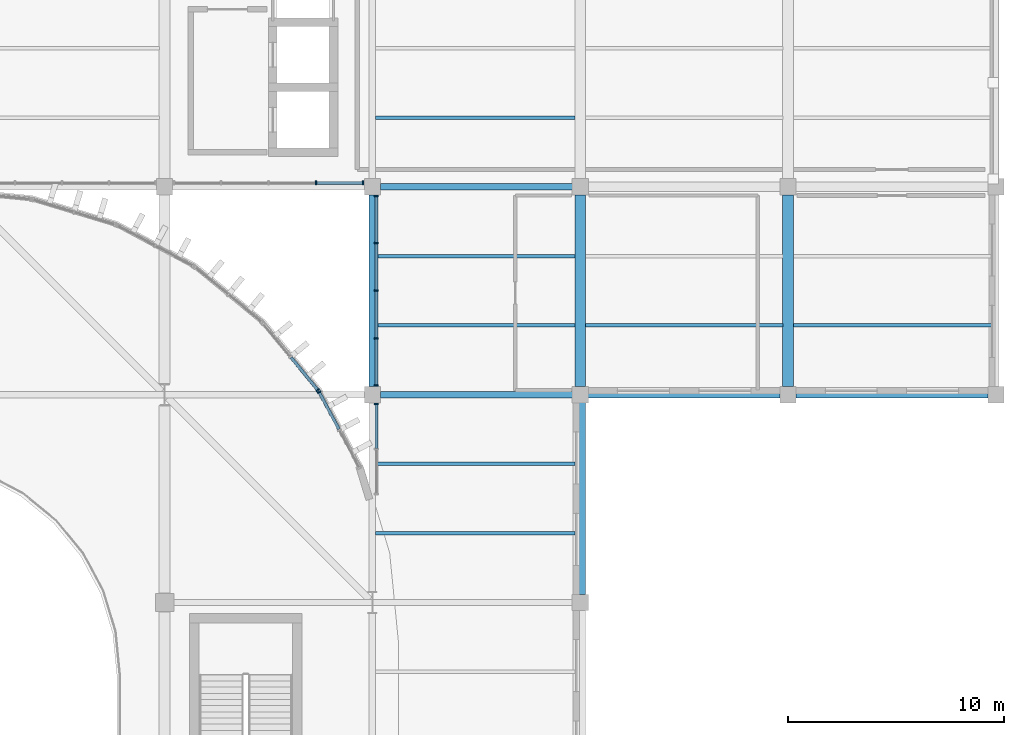
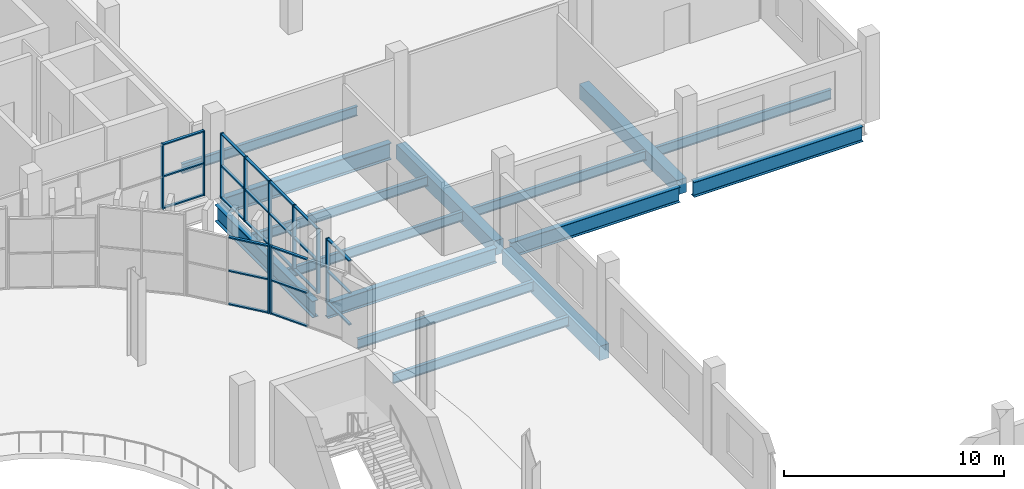
# One storey, part 46 of 99: 34 members, 15 beams, 5 elements without a shape of their own.
"""IFC4 building model written with IfcOpenShell, lengths in metres."""

from ifc_helpers import new_model, si_unit, direction, frame, origin, origin_2d, place, context, subcontext, project, spatial, rectangle, i_section, extrude, material, layer, layer_set, material_profile, profile_set, type_object, element, aggregate, save


model = new_model("IFC4")

# Units and contexts
model_context = context("Model", 3, precision=1e-05, world=origin(), true_north=direction((0.0, 1.0)))
body_context = subcontext(model_context, "Body", "Model", "MODEL_VIEW")
ifc_project = project(units=[si_unit("LENGTHUNIT", "METRE"), si_unit("AREAUNIT", "SQUARE_METRE"), si_unit("VOLUMEUNIT", "CUBIC_METRE"), si_unit("PLANEANGLEUNIT", "RADIAN"), si_unit("MASSUNIT", "GRAM", prefix="KILO")], contexts=[model_context])

# Site, building, storey
site_placement = place(None, origin())
site = spatial("IfcSite", under=ifc_project, at=site_placement, CompositionType="ELEMENT")
building_placement = place(site_placement, origin())
building = spatial("IfcBuilding", under=site, at=building_placement, Name="Caelomonte Colonnade Arena", CompositionType="ELEMENT")
storey_placement = place(building_placement, frame((0.0, 0.0, 4.800048828125)))
storey = spatial("IfcBuildingStorey", under=building, at=storey_placement, Name="L01", CompositionType="ELEMENT", Elevation=4.800048828125)

# Curtain wall, members
ifc_material_1 = material(Name="Bronze anodised aluminium and low-E glazing", Category="aluminium")
ifc_layer_1 = layer(ifc_material_1, 0.179931640625)
ifc_layer_set_1 = layer_set([ifc_layer_1], Name="Bronze anodised aluminium and low-E glazing")
curtain_wall_type_1 = type_object("IfcCurtainWallType", Name="ENV-CW-CW-L01-89-36", PredefinedType="USERDEFINED", material=ifc_layer_set_1)
curtain_wall_1_placement = place(storey_placement, origin())
curtain_wall_1 = element("IfcCurtainWall", 1, at=curtain_wall_1_placement, inside=storey, type_object=curtain_wall_type_1, Name="L01 unitized curtain wall CW-L01-1584-1154", ObjectType="UNITIZED CURTAIN WALL", PredefinedType="USERDEFINED")
ifc_material_2 = material(Name="Bronze anodised aluminium AA6063-T6", Category="aluminium")
ifc_material_profile_1 = material_profile(ifc_material_2, rectangle(XDim=0.070068359375, YDim=0.179931640625, at=origin_2d()), Name="CWM-70X180")
ifc_profile_set_1 = profile_set([ifc_material_profile_1], Name="Bronze anodised aluminium AA6063-T6")
member_type_1 = type_object("IfcMemberType", Name="ENV-CW-MULL1", PredefinedType="MULLION", material=ifc_profile_set_1)
member_1_placement = place(storey_placement, frame((160.6025390625, 115.3798828125, 0.0), z_axis=(0.0, 0.0, 1.0), x_axis=(1.0, 0.0, 0.0)))
member_1 = element("IfcMember", 2, at=member_1_placement, type_object=member_type_1, Name="CW-L01-89-36 mullion 4", PredefinedType="MULLION", context=body_context, shape_type="SweptSolid", body=[
    extrude(rectangle(XDim=0.070068359375, YDim=0.179931640625, at=origin_2d()), origin(), (0.0, 0.0, 1.0), 3.593017578125),
])
member_2_placement = place(storey_placement, frame((162.77001953125, 115.3798828125, 0.0), z_axis=(0.0, 0.0, 1.0), x_axis=(1.0, 0.0, 0.0)))
member_2 = element("IfcMember", 3, at=member_2_placement, type_object=member_type_1, Name="CW-L01-89-36 mullion 5", PredefinedType="MULLION", context=body_context, shape_type="SweptSolid", body=[
    extrude(rectangle(XDim=0.070068359375, YDim=0.179931640625, at=origin_2d()), origin(), (0.0, 0.0, 1.0), 3.593017578125),
])

curtain_wall_2_placement = place(storey_placement, origin())
curtain_wall_2 = element("IfcCurtainWall", 4, at=curtain_wall_2_placement, inside=storey, type_object=curtain_wall_type_1, Name="L01 unitized curtain wall CW-L01-1634-1104", ObjectType="UNITIZED CURTAIN WALL", PredefinedType="USERDEFINED")
member_3_placement = place(storey_placement, frame((163.3798828125, 114.77001953125, 0.0), z_axis=(0.0, 0.0, 1.0), x_axis=(0.0, -1.0, 0.0)))
member_3 = element("IfcMember", 5, at=member_3_placement, type_object=member_type_1, Name="CW-L01-89-36 mullion 1", PredefinedType="MULLION", context=body_context, shape_type="SweptSolid", body=[
    extrude(rectangle(XDim=0.070068359375, YDim=0.179931640625, at=origin_2d()), origin(), (0.0, 0.0, 1.0), 3.593017578125),
])
member_4_placement = place(storey_placement, frame((163.3798828125, 112.6025390625, 0.0), z_axis=(0.0, 0.0, 1.0), x_axis=(0.0, -1.0, 0.0)))
member_4 = element("IfcMember", 6, at=member_4_placement, type_object=member_type_1, Name="CW-L01-89-36 mullion 2", PredefinedType="MULLION", context=body_context, shape_type="SweptSolid", body=[
    extrude(rectangle(XDim=0.070068359375, YDim=0.179931640625, at=origin_2d()), origin(), (0.0, 0.0, 1.0), 3.593017578125),
])
member_5_placement = place(storey_placement, frame((163.3798828125, 110.39990234375, 0.0), z_axis=(0.0, 0.0, 1.0), x_axis=(0.0, -1.0, 0.0)))
member_5 = element("IfcMember", 7, at=member_5_placement, type_object=member_type_1, Name="CW-L01-89-36 mullion 3", PredefinedType="MULLION", context=body_context, shape_type="SweptSolid", body=[
    extrude(rectangle(XDim=0.070068359375, YDim=0.179931640625, at=origin_2d()), origin(), (0.0, 0.0, 1.0), 3.593017578125),
])
member_6_placement = place(storey_placement, frame((163.3798828125, 108.197509765625, 0.0), z_axis=(0.0, 0.0, 1.0), x_axis=(0.0, -1.0, 0.0)))
member_6 = element("IfcMember", 8, at=member_6_placement, type_object=member_type_1, Name="CW-L01-89-36 mullion 4", PredefinedType="MULLION", context=body_context, shape_type="SweptSolid", body=[
    extrude(rectangle(XDim=0.070068359375, YDim=0.179931640625, at=origin_2d()), origin(), (0.0, 0.0, 1.0), 3.593017578125),
])
member_7_placement = place(storey_placement, frame((163.3798828125, 106.030029296875, 0.0), z_axis=(0.0, 0.0, 1.0), x_axis=(0.0, -1.0, 0.0)))
member_7 = element("IfcMember", 9, at=member_7_placement, type_object=member_type_1, Name="CW-L01-89-36 mullion 5", PredefinedType="MULLION", context=body_context, shape_type="SweptSolid", body=[
    extrude(rectangle(XDim=0.070068359375, YDim=0.179931640625, at=origin_2d()), origin(), (0.0, 0.0, 1.0), 3.593017578125),
])

# Curtain wall, member
ifc_layer_2 = layer(ifc_material_1, 0.179931640625)
ifc_layer_set_2 = layer_set([ifc_layer_2], Name="Bronze anodised aluminium and low-E glazing")
curtain_wall_type_2 = type_object("IfcCurtainWallType", Name="ENV-CW-CW-L01-44-36", PredefinedType="USERDEFINED", material=ifc_layer_set_2)
curtain_wall_3_placement = place(storey_placement, origin())
curtain_wall_3 = element("IfcCurtainWall", 10, at=curtain_wall_3_placement, inside=storey, type_object=curtain_wall_type_2, Name="L01 unitized curtain wall CW-L01-1634-1030", ObjectType="UNITIZED CURTAIN WALL", PredefinedType="USERDEFINED")
member_8_placement = place(storey_placement, frame((163.3798828125, 105.169921875, 0.0), z_axis=(0.0, 0.0, 1.0), x_axis=(0.0, -1.0, 0.0)))
member_8 = element("IfcMember", 11, at=member_8_placement, type_object=member_type_1, Name="CW-L01-44-36 mullion 1", PredefinedType="MULLION", context=body_context, shape_type="SweptSolid", body=[
    extrude(rectangle(XDim=0.070068359375, YDim=0.179931640625, at=origin_2d()), origin(), (0.0, 0.0, 1.0), 3.593017578125),
])

ifc_layer_3 = layer(ifc_material_1, 0.179931640625)
ifc_layer_set_3 = layer_set([ifc_layer_3], Name="Bronze anodised aluminium and low-E glazing")
curtain_wall_type_3 = type_object("IfcCurtainWallType", Name="ENV-CW-CW-L01-44-38", PredefinedType="USERDEFINED", material=ifc_layer_set_3)
curtain_wall_4_placement = place(storey_placement, origin())
curtain_wall_4 = element("IfcCurtainWall", 12, at=curtain_wall_4_placement, inside=storey, type_object=curtain_wall_type_3, Name="L01 unitized curtain wall CW-L01-1617-1040", ObjectType="UNITIZED CURTAIN WALL", PredefinedType="USERDEFINED")
member_9_placement = place(storey_placement, frame((160.737548828125, 105.716064453125, 0.0), z_axis=(0.0, 0.0, 1.0), x_axis=(-0.471394212466, 0.881922613642, 0.0)))
member_9 = element("IfcMember", 13, at=member_9_placement, type_object=member_type_1, Name="CW-L01-44-38 mullion 3", PredefinedType="MULLION", context=body_context, shape_type="SweptSolid", body=[
    extrude(rectangle(XDim=0.070068359375, YDim=0.179931640625, at=origin_2d()), origin(), (0.0, 0.0, 1.0), 3.758056640625),
])

curtain_wall_5_placement = place(storey_placement, origin())
curtain_wall_5 = element("IfcCurtainWall", 14, at=curtain_wall_5_placement, inside=storey, type_object=curtain_wall_type_3, Name="L01 unitized curtain wall CW-L01-1594-1073", ObjectType="UNITIZED CURTAIN WALL", PredefinedType="USERDEFINED")
member_10_placement = place(storey_placement, frame((160.67431640625, 105.810791015625, 0.0), z_axis=(0.0, 0.0, 1.0), x_axis=(-0.634416071163, 0.772991751994, 0.0)))
member_10 = element("IfcMember", 15, at=member_10_placement, type_object=member_type_1, Name="CW-L01-44-38 mullion 1", PredefinedType="MULLION", context=body_context, shape_type="SweptSolid", body=[
    extrude(rectangle(XDim=0.070068359375, YDim=0.179931640625, at=origin_2d()), origin(), (0.0, 0.0, 1.0), 3.758056640625),
])

# Member
ifc_material_profile_2 = material_profile(ifc_material_2, rectangle(XDim=0.070068359375, YDim=0.139892578125, at=origin_2d()), Name="CWT-70X140")
ifc_profile_set_2 = profile_set([ifc_material_profile_2], Name="Bronze anodised aluminium AA6063-T6")
member_type_2 = type_object("IfcMemberType", Name="ENV-CW-TRAN1", PredefinedType="USERDEFINED", material=ifc_profile_set_2)
member_11_placement = place(storey_placement, frame((160.637451171875, 115.3798828125, 0.034912109375), z_axis=(1.0, 0.0, 0.0), x_axis=(0.0, 0.0, 1.0)))
member_11 = element("IfcMember", 16, at=member_11_placement, type_object=member_type_2, Name="CW-L01-89-36 transom 4.1", ObjectType="TRANSOM", PredefinedType="USERDEFINED", context=body_context, shape_type="SweptSolid", body=[
    extrude(rectangle(XDim=0.070068359375, YDim=0.139892578125, at=origin_2d()), origin(), (0.0, 0.0, 1.0), 2.09765625),
])

member_12_placement = place(storey_placement, frame((160.637451171875, 115.3798828125, 1.79638671875), z_axis=(1.0, 0.0, 0.0), x_axis=(0.0, 0.0, 1.0)))
member_12 = element("IfcMember", 17, at=member_12_placement, type_object=member_type_2, Name="CW-L01-89-36 transom 4.2", ObjectType="TRANSOM", PredefinedType="USERDEFINED", context=body_context, shape_type="SweptSolid", body=[
    extrude(rectangle(XDim=0.070068359375, YDim=0.139892578125, at=origin_2d()), origin(), (0.0, 0.0, 1.0), 2.09765625),
])

member_13_placement = place(storey_placement, frame((160.637451171875, 115.3798828125, 3.557861328125), z_axis=(1.0, 0.0, 0.0), x_axis=(0.0, 0.0, 1.0)))
member_13 = element("IfcMember", 18, at=member_13_placement, type_object=member_type_2, Name="CW-L01-89-36 transom 4.3", ObjectType="TRANSOM", PredefinedType="USERDEFINED", context=body_context, shape_type="SweptSolid", body=[
    extrude(rectangle(XDim=0.070068359375, YDim=0.139892578125, at=origin_2d()), origin(), (0.0, 0.0, 1.0), 2.09765625),
])

aggregate(curtain_wall_1, [member_1, member_2, member_11, member_12, member_13])

member_14_placement = place(storey_placement, frame((163.3798828125, 114.735107421875, 0.034912109375), z_axis=(0.0, -1.0, 0.0), x_axis=(0.0, 0.0, 1.0)))
member_14 = element("IfcMember", 19, at=member_14_placement, type_object=member_type_2, Name="CW-L01-89-36 transom 1.1", ObjectType="TRANSOM", PredefinedType="USERDEFINED", context=body_context, shape_type="SweptSolid", body=[
    extrude(rectangle(XDim=0.070068359375, YDim=0.139892578125, at=origin_2d()), origin(), (0.0, 0.0, 1.0), 2.09765625),
])

member_15_placement = place(storey_placement, frame((163.3798828125, 114.735107421875, 1.79638671875), z_axis=(0.0, -1.0, 0.0), x_axis=(0.0, 0.0, 1.0)))
member_15 = element("IfcMember", 20, at=member_15_placement, type_object=member_type_2, Name="CW-L01-89-36 transom 1.2", ObjectType="TRANSOM", PredefinedType="USERDEFINED", context=body_context, shape_type="SweptSolid", body=[
    extrude(rectangle(XDim=0.070068359375, YDim=0.139892578125, at=origin_2d()), origin(), (0.0, 0.0, 1.0), 2.09765625),
])

member_16_placement = place(storey_placement, frame((163.3798828125, 114.735107421875, 3.557861328125), z_axis=(0.0, -1.0, 0.0), x_axis=(0.0, 0.0, 1.0)))
member_16 = element("IfcMember", 21, at=member_16_placement, type_object=member_type_2, Name="CW-L01-89-36 transom 1.3", ObjectType="TRANSOM", PredefinedType="USERDEFINED", context=body_context, shape_type="SweptSolid", body=[
    extrude(rectangle(XDim=0.070068359375, YDim=0.139892578125, at=origin_2d()), origin(), (0.0, 0.0, 1.0), 2.09765625),
])

member_17_placement = place(storey_placement, frame((163.3798828125, 112.5673828125, 0.034912109375), z_axis=(0.0, -1.0, 0.0), x_axis=(0.0, 0.0, 1.0)))
member_17 = element("IfcMember", 22, at=member_17_placement, type_object=member_type_2, Name="CW-L01-89-36 transom 2.1", ObjectType="TRANSOM", PredefinedType="USERDEFINED", context=body_context, shape_type="SweptSolid", body=[
    extrude(rectangle(XDim=0.070068359375, YDim=0.139892578125, at=origin_2d()), origin(), (0.0, 0.0, 1.0), 2.13232421875),
])

member_18_placement = place(storey_placement, frame((163.3798828125, 112.5673828125, 1.79638671875), z_axis=(0.0, -1.0, 0.0), x_axis=(0.0, 0.0, 1.0)))
member_18 = element("IfcMember", 23, at=member_18_placement, type_object=member_type_2, Name="CW-L01-89-36 transom 2.2", ObjectType="TRANSOM", PredefinedType="USERDEFINED", context=body_context, shape_type="SweptSolid", body=[
    extrude(rectangle(XDim=0.070068359375, YDim=0.139892578125, at=origin_2d()), origin(), (0.0, 0.0, 1.0), 2.13232421875),
])

member_19_placement = place(storey_placement, frame((163.3798828125, 112.5673828125, 3.557861328125), z_axis=(0.0, -1.0, 0.0), x_axis=(0.0, 0.0, 1.0)))
member_19 = element("IfcMember", 24, at=member_19_placement, type_object=member_type_2, Name="CW-L01-89-36 transom 2.3", ObjectType="TRANSOM", PredefinedType="USERDEFINED", context=body_context, shape_type="SweptSolid", body=[
    extrude(rectangle(XDim=0.070068359375, YDim=0.139892578125, at=origin_2d()), origin(), (0.0, 0.0, 1.0), 2.13232421875),
])

member_20_placement = place(storey_placement, frame((163.3798828125, 110.364990234375, 0.034912109375), z_axis=(0.0, -1.0, 0.0), x_axis=(0.0, 0.0, 1.0)))
member_20 = element("IfcMember", 25, at=member_20_placement, type_object=member_type_2, Name="CW-L01-89-36 transom 3.1", ObjectType="TRANSOM", PredefinedType="USERDEFINED", context=body_context, shape_type="SweptSolid", body=[
    extrude(rectangle(XDim=0.070068359375, YDim=0.139892578125, at=origin_2d()), origin(), (0.0, 0.0, 1.0), 2.132568359375),
])

member_21_placement = place(storey_placement, frame((163.3798828125, 110.364990234375, 1.79638671875), z_axis=(0.0, -1.0, 0.0), x_axis=(0.0, 0.0, 1.0)))
member_21 = element("IfcMember", 26, at=member_21_placement, type_object=member_type_2, Name="CW-L01-89-36 transom 3.2", ObjectType="TRANSOM", PredefinedType="USERDEFINED", context=body_context, shape_type="SweptSolid", body=[
    extrude(rectangle(XDim=0.070068359375, YDim=0.139892578125, at=origin_2d()), origin(), (0.0, 0.0, 1.0), 2.132568359375),
])

member_22_placement = place(storey_placement, frame((163.3798828125, 110.364990234375, 3.557861328125), z_axis=(0.0, -1.0, 0.0), x_axis=(0.0, 0.0, 1.0)))
member_22 = element("IfcMember", 27, at=member_22_placement, type_object=member_type_2, Name="CW-L01-89-36 transom 3.3", ObjectType="TRANSOM", PredefinedType="USERDEFINED", context=body_context, shape_type="SweptSolid", body=[
    extrude(rectangle(XDim=0.070068359375, YDim=0.139892578125, at=origin_2d()), origin(), (0.0, 0.0, 1.0), 2.132568359375),
])

member_23_placement = place(storey_placement, frame((163.3798828125, 108.16259765625, 0.034912109375), z_axis=(0.0, -1.0, 0.0), x_axis=(0.0, 0.0, 1.0)))
member_23 = element("IfcMember", 28, at=member_23_placement, type_object=member_type_2, Name="CW-L01-89-36 transom 4.1", ObjectType="TRANSOM", PredefinedType="USERDEFINED", context=body_context, shape_type="SweptSolid", body=[
    extrude(rectangle(XDim=0.070068359375, YDim=0.139892578125, at=origin_2d()), origin(), (0.0, 0.0, 1.0), 2.09765625),
])

member_24_placement = place(storey_placement, frame((163.3798828125, 108.16259765625, 1.79638671875), z_axis=(0.0, -1.0, 0.0), x_axis=(0.0, 0.0, 1.0)))
member_24 = element("IfcMember", 29, at=member_24_placement, type_object=member_type_2, Name="CW-L01-89-36 transom 4.2", ObjectType="TRANSOM", PredefinedType="USERDEFINED", context=body_context, shape_type="SweptSolid", body=[
    extrude(rectangle(XDim=0.070068359375, YDim=0.139892578125, at=origin_2d()), origin(), (0.0, 0.0, 1.0), 2.09765625),
])

member_25_placement = place(storey_placement, frame((163.3798828125, 108.16259765625, 3.557861328125), z_axis=(0.0, -1.0, 0.0), x_axis=(0.0, 0.0, 1.0)))
member_25 = element("IfcMember", 30, at=member_25_placement, type_object=member_type_2, Name="CW-L01-89-36 transom 4.3", ObjectType="TRANSOM", PredefinedType="USERDEFINED", context=body_context, shape_type="SweptSolid", body=[
    extrude(rectangle(XDim=0.070068359375, YDim=0.139892578125, at=origin_2d()), origin(), (0.0, 0.0, 1.0), 2.09765625),
])

aggregate(curtain_wall_2, [member_3, member_4, member_5, member_6, member_7, member_14, member_15, member_16, member_17, member_18, member_19, member_20, member_21, member_22, member_23, member_24, member_25])

member_26_placement = place(storey_placement, frame((163.3798828125, 105.135009765625, 0.034912109375), z_axis=(0.0, -1.0, 0.0), x_axis=(0.0, 0.0, 1.0)))
member_26 = element("IfcMember", 31, at=member_26_placement, type_object=member_type_2, Name="CW-L01-44-36 transom 1.1", ObjectType="TRANSOM", PredefinedType="USERDEFINED", context=body_context, shape_type="SweptSolid", body=[
    extrude(rectangle(XDim=0.070068359375, YDim=0.139892578125, at=origin_2d()), origin(), (0.0, 0.0, 1.0), 2.015380859375),
])

member_27_placement = place(storey_placement, frame((163.3798828125, 105.135009765625, 1.79638671875), z_axis=(0.0, -1.0, 0.0), x_axis=(0.0, 0.0, 1.0)))
member_27 = element("IfcMember", 32, at=member_27_placement, type_object=member_type_2, Name="CW-L01-44-36 transom 1.2", ObjectType="TRANSOM", PredefinedType="USERDEFINED", context=body_context, shape_type="SweptSolid", body=[
    extrude(rectangle(XDim=0.070068359375, YDim=0.139892578125, at=origin_2d()), origin(), (0.0, 0.0, 1.0), 2.015380859375),
])

member_28_placement = place(storey_placement, frame((163.3798828125, 105.135009765625, 3.557861328125), z_axis=(0.0, -1.0, 0.0), x_axis=(0.0, 0.0, 1.0)))
member_28 = element("IfcMember", 33, at=member_28_placement, type_object=member_type_2, Name="CW-L01-44-36 transom 1.3", ObjectType="TRANSOM", PredefinedType="USERDEFINED", context=body_context, shape_type="SweptSolid", body=[
    extrude(rectangle(XDim=0.070068359375, YDim=0.139892578125, at=origin_2d()), origin(), (0.0, 0.0, 1.0), 2.015380859375),
])

aggregate(curtain_wall_3, [member_8, member_26, member_27, member_28])

member_29_placement = place(storey_placement, frame((161.656005859375, 103.997802734375, 0.034912109375), z_axis=(-0.47149534087, 0.881868552301, 0.0), x_axis=(0.0, 0.0, 1.0)))
member_29 = element("IfcMember", 34, at=member_29_placement, type_object=member_type_2, Name="CW-L01-44-38 transom 2.1", ObjectType="TRANSOM", PredefinedType="USERDEFINED", context=body_context, shape_type="SweptSolid", body=[
    extrude(rectangle(XDim=0.070068359375, YDim=0.139892578125, at=origin_2d()), origin(), (0.0, 0.0, 1.0), 1.913330078125),
])

member_30_placement = place(storey_placement, frame((161.656005859375, 103.997802734375, 1.87890625), z_axis=(-0.47149534087, 0.881868552301, 0.0), x_axis=(0.0, 0.0, 1.0)))
member_30 = element("IfcMember", 35, at=member_30_placement, type_object=member_type_2, Name="CW-L01-44-38 transom 2.2", ObjectType="TRANSOM", PredefinedType="USERDEFINED", context=body_context, shape_type="SweptSolid", body=[
    extrude(rectangle(XDim=0.070068359375, YDim=0.139892578125, at=origin_2d()), origin(), (0.0, 0.0, 1.0), 1.913330078125),
])

member_31_placement = place(storey_placement, frame((161.656005859375, 103.997802734375, 3.722900390625), z_axis=(-0.47149534087, 0.881868552301, 0.0), x_axis=(0.0, 0.0, 1.0)))
member_31 = element("IfcMember", 36, at=member_31_placement, type_object=member_type_2, Name="CW-L01-44-38 transom 2.3", ObjectType="TRANSOM", PredefinedType="USERDEFINED", context=body_context, shape_type="SweptSolid", body=[
    extrude(rectangle(XDim=0.070068359375, YDim=0.139892578125, at=origin_2d()), origin(), (0.0, 0.0, 1.0), 1.913330078125),
])

aggregate(curtain_wall_4, [member_9, member_29, member_30, member_31])

member_32_placement = place(storey_placement, frame((160.652099609375, 105.837890625, 0.034912109375), z_axis=(-0.634494516049, 0.772927363407, 0.0), x_axis=(0.0, 0.0, 1.0)))
member_32 = element("IfcMember", 37, at=member_32_placement, type_object=member_type_2, Name="CW-L01-44-38 transom 1.1", ObjectType="TRANSOM", PredefinedType="USERDEFINED", context=body_context, shape_type="SweptSolid", body=[
    extrude(rectangle(XDim=0.070068359375, YDim=0.139892578125, at=origin_2d()), origin(), (0.0, 0.0, 1.0), 1.91357421875),
])

member_33_placement = place(storey_placement, frame((160.652099609375, 105.837890625, 1.87890625), z_axis=(-0.634494516049, 0.772927363407, 0.0), x_axis=(0.0, 0.0, 1.0)))
member_33 = element("IfcMember", 38, at=member_33_placement, type_object=member_type_2, Name="CW-L01-44-38 transom 1.2", ObjectType="TRANSOM", PredefinedType="USERDEFINED", context=body_context, shape_type="SweptSolid", body=[
    extrude(rectangle(XDim=0.070068359375, YDim=0.139892578125, at=origin_2d()), origin(), (0.0, 0.0, 1.0), 1.91357421875),
])

member_34_placement = place(storey_placement, frame((160.652099609375, 105.837890625, 3.722900390625), z_axis=(-0.634494516049, 0.772927363407, 0.0), x_axis=(0.0, 0.0, 1.0)))
member_34 = element("IfcMember", 39, at=member_34_placement, type_object=member_type_2, Name="CW-L01-44-38 transom 1.3", ObjectType="TRANSOM", PredefinedType="USERDEFINED", context=body_context, shape_type="SweptSolid", body=[
    extrude(rectangle(XDim=0.070068359375, YDim=0.139892578125, at=origin_2d()), origin(), (0.0, 0.0, 1.0), 1.91357421875),
])

aggregate(curtain_wall_5, [member_10, member_32, member_33, member_34])

# Beams
ifc_material_3 = material(Name="Wide-flange steel ASTM A992 Grade 50", Category="steel")
ifc_material_profile_3 = material_profile(ifc_material_3, i_section(OverallWidth=0.307861328125, OverallDepth=0.927001953125, WebThickness=0.019287109375, FlangeThickness=0.031982421875, FilletRadius=0.020263671875, at=origin_2d()), Name="W36X194")
ifc_profile_set_3 = profile_set([ifc_material_profile_3], Name="Wide-flange steel ASTM A992 Grade 50")
beam_type_1 = type_object("IfcBeamType", Name="STR-BM-EAVES2", PredefinedType="SPANDREL", material=ifc_profile_set_3)
beam_1_placement = place(storey_placement, frame((163.56689453125, 115.199951171875, -0.763427734375), z_axis=(1.0, 0.0, 0.0), x_axis=(0.0, 1.0, 0.0)))
element("IfcBeam", 40, at=beam_1_placement, inside=storey, type_object=beam_type_1, Name="L01 girder BMX-L01-1632-1152", PredefinedType="SPANDREL", context=body_context, shape_type="SweptSolid", body=[
    extrude(i_section(OverallWidth=0.307861328125, OverallDepth=0.927001953125, WebThickness=0.019287109375, FlangeThickness=0.031982421875, FilletRadius=0.020263671875, at=origin_2d()), origin(), (0.0, 0.0, 1.0), 8.8662109375),
])
beam_2_placement = place(storey_placement, frame((163.199951171875, 105.967041015625, -0.763427734375), z_axis=(0.0, 1.0, 0.0), x_axis=(-1.0, 0.0, 0.0)))
element("IfcBeam", 41, at=beam_2_placement, inside=storey, type_object=beam_type_1, Name="L01 girder BMY-L01-1632-1056", PredefinedType="SPANDREL", context=body_context, shape_type="SweptSolid", body=[
    extrude(i_section(OverallWidth=0.307861328125, OverallDepth=0.927001953125, WebThickness=0.019287109375, FlangeThickness=0.031982421875, FilletRadius=0.020263671875, at=origin_2d()), origin(), (0.0, 0.0, 1.0), 8.865966796875),
])
ifc_material_profile_4 = material_profile(ifc_material_3, i_section(OverallWidth=0.2919921875, OverallDepth=0.835693359375, WebThickness=0.013916015625, FlangeThickness=0.018798828125, FilletRadius=0.017822265625, at=origin_2d()), Name="W33X118")
ifc_profile_set_4 = profile_set([ifc_material_profile_4], Name="Wide-flange steel ASTM A992 Grade 50")
beam_type_2 = type_object("IfcBeamType", Name="STR-BM-GIRD33B", PredefinedType="BEAM", material=ifc_profile_set_4)
beam_3_placement = place(storey_placement, frame((163.56689453125, 105.60009765625, -0.7177734375), z_axis=(1.0, 0.0, 0.0), x_axis=(0.0, 1.0, 0.0)))
element("IfcBeam", 42, at=beam_3_placement, inside=storey, type_object=beam_type_2, Name="L01 girder BMX-L01-1632-1056", PredefinedType="BEAM", context=body_context, shape_type="SweptSolid", body=[
    extrude(i_section(OverallWidth=0.2919921875, OverallDepth=0.835693359375, WebThickness=0.013916015625, FlangeThickness=0.018798828125, FilletRadius=0.017822265625, at=origin_2d()), origin(), (0.0, 0.0, 1.0), 8.8662109375),
])
for number, where, z_axis, x_axis, name in (
    (43, (173.1669921875, 105.60009765625, -0.7177734375), (1.0, 0.0, 0.0), (0.0, 1.0, 0.0), "L01 girder BMX-L01-1728-1056"),
    (44, (182.76708984375, 105.60009765625, -0.7177734375), (1.0, 0.0, 0.0), (0.0, 1.0, 0.0), "L01 girder BMX-L01-1824-1056"),
):
    element("IfcBeam", number, at=place(storey_placement, frame(where, z_axis=z_axis, x_axis=x_axis)), inside=storey, type_object=beam_type_2, Name=name, PredefinedType="BEAM", context=body_context, shape_type="SweptSolid", body=[
        extrude(i_section(OverallWidth=0.2919921875, OverallDepth=0.835693359375, WebThickness=0.013916015625, FlangeThickness=0.018798828125, FilletRadius=0.017822265625, at=origin_2d()), origin(), (0.0, 0.0, 1.0), 8.865966796875),
    ])
ifc_material_profile_5 = material_profile(ifc_material_3, i_section(OverallWidth=0.166015625, OverallDepth=0.5283203125, WebThickness=0.009765625, FlangeThickness=0.013671875, FilletRadius=0.0126953125, at=origin_2d()), Name="W21X50")
ifc_profile_set_5 = profile_set([ifc_material_profile_5], Name="Wide-flange steel ASTM A992 Grade 50")
beam_type_3 = type_object("IfcBeamType", Name="STR-BM-JOIST21B", PredefinedType="JOIST", material=ifc_profile_set_5)
for number, where, z_axis, x_axis, name in (
    (45, (163.348876953125, 99.199951171875, -0.564208984375), (1.0, 0.0, 0.0), (0.0, 1.0, 0.0), "L01 secondary joist 1"),
    (46, (163.348876953125, 102.39990234375, -0.564208984375), (1.0, 0.0, 0.0), (0.0, 1.0, 0.0), "L01 secondary joist 2"),
    (47, (163.348876953125, 108.800048828125, -0.564208984375), (1.0, 0.0, 0.0), (0.0, 1.0, 0.0), "L01 secondary joist 1"),
    (48, (163.348876953125, 112.0, -0.564208984375), (1.0, 0.0, 0.0), (0.0, 1.0, 0.0), "L01 secondary joist 2"),
    (49, (163.348876953125, 118.39990234375, -0.564208984375), (1.0, 0.0, 0.0), (0.0, 1.0, 0.0), "L01 secondary joist 1"),
):
    element("IfcBeam", number, at=place(storey_placement, frame(where, z_axis=z_axis, x_axis=x_axis)), inside=storey, type_object=beam_type_3, Name=name, PredefinedType="JOIST", context=body_context, shape_type="SweptSolid", body=[
        extrude(i_section(OverallWidth=0.166015625, OverallDepth=0.5283203125, WebThickness=0.009765625, FlangeThickness=0.013671875, FilletRadius=0.0126953125, at=origin_2d()), origin(), (0.0, 0.0, 1.0), 9.2060546875),
    ])
beam_4_placement = place(storey_placement, frame((173.044921875, 108.800048828125, -0.564208984375), z_axis=(1.0, 0.0, 0.0), x_axis=(0.0, 1.0, 0.0)))
element("IfcBeam", 50, at=beam_4_placement, inside=storey, type_object=beam_type_3, Name="L01 secondary joist 1", PredefinedType="JOIST", context=body_context, shape_type="SweptSolid", body=[
    extrude(i_section(OverallWidth=0.166015625, OverallDepth=0.5283203125, WebThickness=0.009765625, FlangeThickness=0.013671875, FilletRadius=0.0126953125, at=origin_2d()), origin(), (0.0, 0.0, 1.0), 9.110107421875),
])
beam_5_placement = place(storey_placement, frame((182.64501953125, 108.800048828125, -0.564208984375), z_axis=(1.0, 0.0, 0.0), x_axis=(0.0, 1.0, 0.0)))
element("IfcBeam", 51, at=beam_5_placement, inside=storey, type_object=beam_type_3, Name="L01 secondary joist 1", PredefinedType="JOIST", context=body_context, shape_type="SweptSolid", body=[
    extrude(i_section(OverallWidth=0.166015625, OverallDepth=0.5283203125, WebThickness=0.009765625, FlangeThickness=0.013671875, FilletRadius=0.0126953125, at=origin_2d()), origin(), (0.0, 0.0, 1.0), 9.2060546875),
])
ifc_material_4 = material(Name="Concrete C40/50", Category="concrete")
ifc_material_profile_6 = material_profile(ifc_material_4, rectangle(XDim=0.5, YDim=0.800048828125, at=origin_2d()), Name="RC500X800")
ifc_profile_set_6 = profile_set([ifc_material_profile_6], Name="Concrete C40/50")
beam_type_4 = type_object("IfcBeamType", Name="STR-BM-RC50", PredefinedType="BEAM", material=ifc_profile_set_6)
for number, where, z_axis, x_axis, name in (
    (52, (172.800048828125, 96.366943359375, -0.699951171875), (0.0, 1.0, 0.0), (-1.0, 0.0, 0.0), "L01 girder BMY-L01-1728-0960"),
    (53, (172.800048828125, 105.967041015625, -0.699951171875), (0.0, 1.0, 0.0), (-1.0, 0.0, 0.0), "L01 girder BMY-L01-1728-1056"),
    (54, (182.39990234375, 105.967041015625, -0.699951171875), (0.0, 1.0, 0.0), (-1.0, 0.0, 0.0), "L01 girder BMY-L01-1824-1056"),
):
    element("IfcBeam", number, at=place(storey_placement, frame(where, z_axis=z_axis, x_axis=x_axis)), inside=storey, type_object=beam_type_4, Name=name, PredefinedType="BEAM", context=body_context, shape_type="SweptSolid", body=[
        extrude(rectangle(XDim=0.5, YDim=0.800048828125, at=origin_2d()), origin(), (0.0, 0.0, 1.0), 8.865966796875),
    ])

save(model, "model.ifc")
